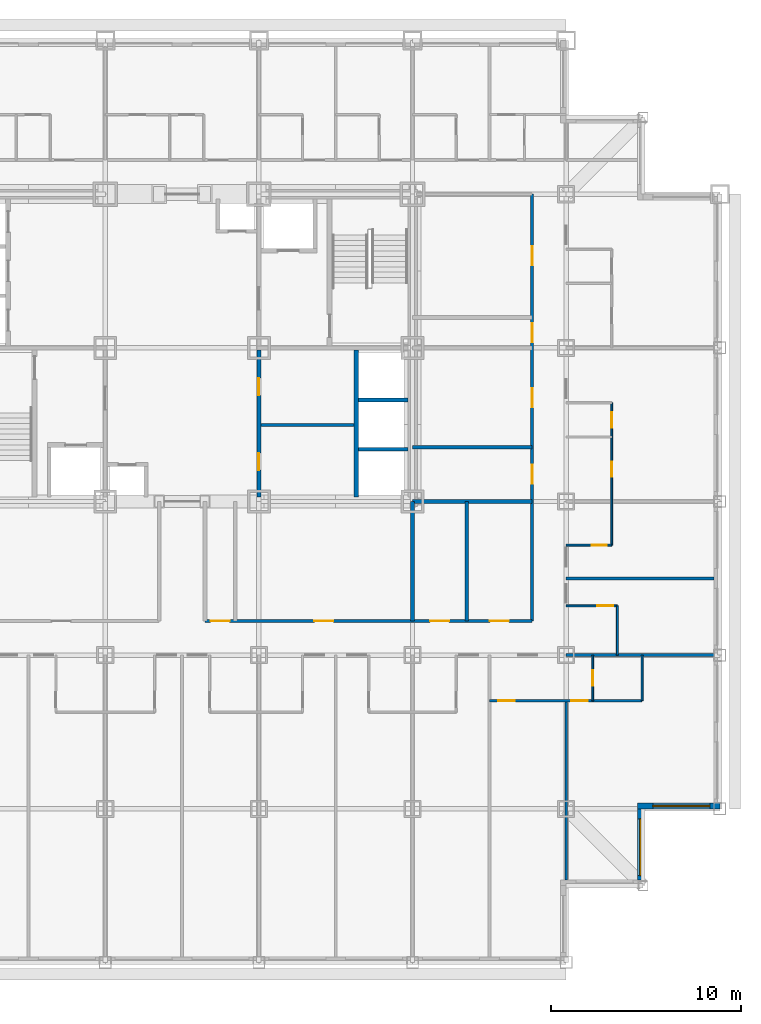
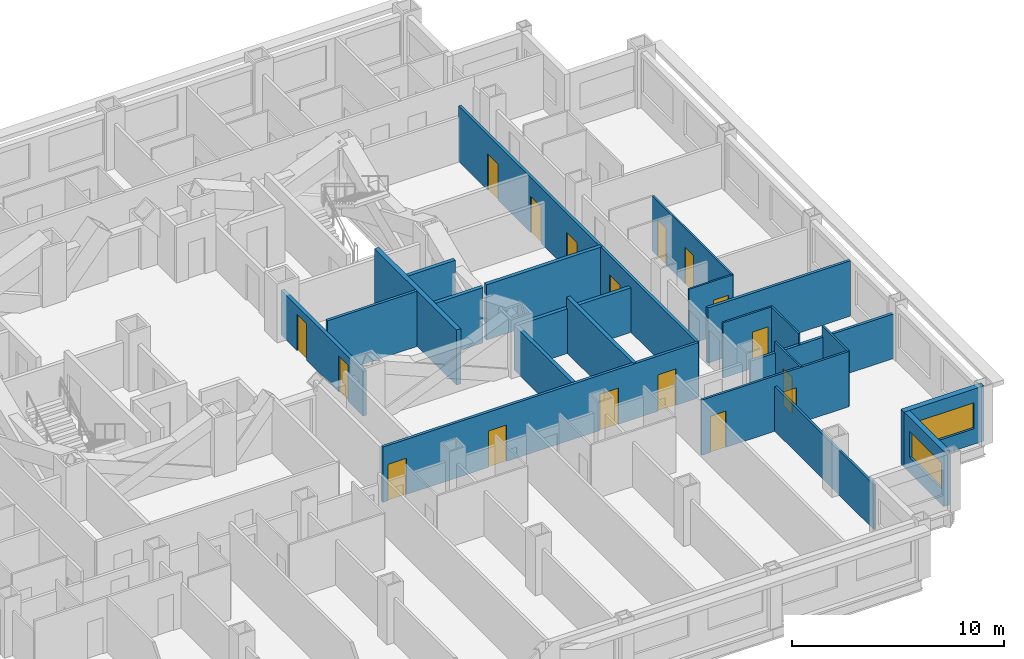
# One storey, part 6 of 11: 23 walls, 17 doors, 2 windows, 19 openings.
"""IFC4 building model written with IfcOpenShell, lengths in metres."""

from ifc_helpers import new_model, si_unit, direction, frame, frame_2d, origin, place, context, subcontext, project, spatial, rectangle, extrude, material, layer, layer_set, type_object, element, fill, save


model = new_model("IFC4")

# Units and contexts
model_context = context("Model", 3, precision=1e-05, world=origin(), true_north=direction((0.0, 1.0)))
body_context = subcontext(model_context, "Body", "Model", "MODEL_VIEW")
ifc_project = project(units=[si_unit("LENGTHUNIT", "METRE"), si_unit("AREAUNIT", "SQUARE_METRE"), si_unit("VOLUMEUNIT", "CUBIC_METRE"), si_unit("PLANEANGLEUNIT", "RADIAN"), si_unit("MASSUNIT", "GRAM", prefix="KILO")], contexts=[model_context])

# Site, building, storey
site_placement = place(None, origin())
site = spatial("IfcSite", under=ifc_project, at=site_placement, CompositionType="ELEMENT")
building_placement = place(site_placement, origin())
building = spatial("IfcBuilding", under=site, at=building_placement, Name="Kopane Lantern Tower", CompositionType="ELEMENT")
storey_placement = place(building_placement, frame((0.0, 0.0, 73.800048828125)))
storey = spatial("IfcBuildingStorey", under=building, at=storey_placement, Name="L18", CompositionType="ELEMENT", Elevation=73.800048828125)

# Wall, openings, doors
ifc_material_1 = material(Name="Gypsum board on steel studs", Category="steel")
ifc_layer_1 = layer(ifc_material_1, 0.1201171875)
ifc_layer_set_1 = layer_set([ifc_layer_1], Name="APARTMENT INTERNAL WALL 120")
wall_type_1 = type_object("IfcWallType", Name="APARTMENT INTERNAL WALL 120", PredefinedType="PARTITIONING", material=ifc_layer_set_1)
wall_1_placement = place(storey_placement, frame((44.550048828125, 13.800048828125, 0.0), z_axis=(0.0, 0.0, 1.0), x_axis=(1.0, 0.0, 0.0)))
wall_1 = element("IfcWall", 1, at=wall_1_placement, inside=storey, type_object=wall_type_1, Name="Apartment Internal Wall 120 L18", PredefinedType="PARTITIONING", context=body_context, shape_type="SweptSolid", body=[
    extrude(rectangle(XDim=8.050048828125, YDim=0.1201171875, at=frame_2d((4.02490234375, 0.0))), origin(), (0.0, 0.0, 1.0), 3.18994140625),
])
opening_1_placement = place(wall_1_placement, frame((0.47509765625, 0.0, 0.0)))
opening_1 = element("IfcOpeningElement", 2, at=opening_1_placement, cuts=wall_1, Name="Opening L18-064", PredefinedType="OPENING", context=body_context, shape_type="SweptSolid", body=[
    extrude(rectangle(XDim=0.85009765625, YDim=2.10009765625, at=frame_2d((0.425048828125, 1.050048828125))), frame((0.0, 0.070068359375, 0.0), z_axis=(0.0, -1.0, 0.0), x_axis=(1.0, 0.0, 0.0)), (0.0, 0.0, 1.0), 0.14013671875),
])
opening_2_placement = place(wall_1_placement, frame((4.324951171875, 0.0, 0.0)))
opening_2 = element("IfcOpeningElement", 3, at=opening_2_placement, cuts=wall_1, Name="Opening L18-066", PredefinedType="OPENING", context=body_context, shape_type="SweptSolid", body=[
    extrude(rectangle(XDim=0.85009765625, YDim=2.10009765625, at=frame_2d((0.425048828125, 1.050048828125))), frame((0.0, 0.070068359375, 0.0), z_axis=(0.0, -1.0, 0.0), x_axis=(1.0, 0.0, 0.0)), (0.0, 0.0, 1.0), 0.14013671875),
])
ifc_material_2 = material(Name="Timber door set", Category="wood")
door_type_1 = type_object("IfcDoorType", Name="DOOR D4 850x2100", OperationType="SINGLE_SWING_LEFT", PredefinedType="DOOR", material=ifc_material_2)
door_1_placement = place(opening_1_placement, origin())
door_1 = element("IfcDoor", 4, at=door_1_placement, inside=storey, type_object=door_type_1, Name="Door L18-064", OperationType="SINGLE_SWING_LEFT", OverallHeight=2.10009765625, OverallWidth=0.85009765625, PredefinedType="DOOR", context=body_context, shape_type="SweptSolid", body=[
    extrude(rectangle(XDim=0.85009765625, YDim=2.10009765625, at=frame_2d((0.425048828125, 1.050048828125))), frame((0.0, 0.02490234375, 0.0), z_axis=(0.0, -1.0, 0.0), x_axis=(1.0, 0.0, 0.0)), (0.0, 0.0, 1.0), 0.050048828125),
])
fill(opening_1, door_1)
door_2_placement = place(opening_2_placement, origin())
door_2 = element("IfcDoor", 5, at=door_2_placement, inside=storey, type_object=door_type_1, Name="Door L18-066", OperationType="SINGLE_SWING_RIGHT", OverallHeight=2.10009765625, OverallWidth=0.85009765625, PredefinedType="DOOR", context=body_context, shape_type="SweptSolid", body=[
    extrude(rectangle(XDim=0.85009765625, YDim=2.10009765625, at=frame_2d((0.425048828125, 1.050048828125))), frame((0.0, 0.02490234375, 0.0), z_axis=(0.0, -1.0, 0.0), x_axis=(1.0, 0.0, 0.0)), (0.0, 0.0, 1.0), 0.050048828125),
])
fill(opening_2, door_2)

# Walls
wall_2_placement = place(storey_placement, frame((48.60009765625, 13.800048828125, 0.0), z_axis=(0.0, 0.0, 1.0), x_axis=(0.0, -1.0, 0.0)))
element("IfcWall", 6, at=wall_2_placement, inside=storey, type_object=wall_type_1, Name="Apartment Internal Wall 120 L18", PredefinedType="PARTITIONING", context=body_context, shape_type="SweptSolid", body=[
    extrude(rectangle(XDim=9.449951171875, YDim=0.1201171875, at=frame_2d((4.72509765625, 0.0))), origin(), (0.0, 0.0, 1.0), 2.57763671875),
])
ifc_material_3 = material(Name="Moisture-resistant board on steel studs", Category="steel")
ifc_layer_2 = layer(ifc_material_3, 0.10009765625)
ifc_layer_set_2 = layer_set([ifc_layer_2], Name="BATHROOM WALL 100")
wall_type_2 = type_object("IfcWallType", Name="BATHROOM WALL 100", PredefinedType="PARTITIONING", material=ifc_layer_set_2)
wall_3_placement = place(storey_placement, frame((51.300048828125, 16.199951171875, 0.0), z_axis=(0.0, 0.0, 1.0), x_axis=(0.0, 1.0, 0.0)))
element("IfcWall", 7, at=wall_3_placement, inside=storey, type_object=wall_type_2, Name="Bathroom Wall 100 L18", PredefinedType="PARTITIONING", context=body_context, shape_type="SweptSolid", body=[
    extrude(rectangle(XDim=2.60009765625, YDim=0.10009765625, at=frame_2d((1.300048828125, 0.0))), origin(), (0.0, 0.0, 1.0), 3.18994140625),
])

# Wall, opening, door
wall_4_placement = place(storey_placement, frame((48.60009765625, 18.800048828125, 0.0), z_axis=(0.0, 0.0, 1.0), x_axis=(1.0, 0.0, 0.0)))
wall_4 = element("IfcWall", 8, at=wall_4_placement, inside=storey, type_object=wall_type_2, Name="Bathroom Wall 100 L18", PredefinedType="PARTITIONING", context=body_context, shape_type="SweptSolid", body=[
    extrude(rectangle(XDim=2.699951171875, YDim=0.10009765625, at=frame_2d((1.35009765625, 0.0))), origin(), (0.0, 0.0, 1.0), 3.18994140625),
])
opening_3_placement = place(wall_4_placement, frame((1.625, 0.0, 0.0)))
opening_3 = element("IfcOpeningElement", 9, at=opening_3_placement, cuts=wall_4, Name="Opening L18-049", PredefinedType="OPENING", context=body_context, shape_type="SweptSolid", body=[
    extrude(rectangle(XDim=0.85009765625, YDim=2.10009765625, at=frame_2d((0.425048828125, 1.050048828125))), frame((0.0, 0.06005859375, 0.0), z_axis=(0.0, -1.0, 0.0), x_axis=(1.0, 0.0, 0.0)), (0.0, 0.0, 1.0), 0.1201171875),
])
door_3_placement = place(opening_3_placement, origin())
door_3 = element("IfcDoor", 10, at=door_3_placement, inside=storey, type_object=door_type_1, Name="Door L18-049", OperationType="SINGLE_SWING_LEFT", OverallHeight=2.10009765625, OverallWidth=0.85009765625, PredefinedType="DOOR", context=body_context, shape_type="SweptSolid", body=[
    extrude(rectangle(XDim=0.85009765625, YDim=2.10009765625, at=frame_2d((0.425048828125, 1.050048828125))), frame((0.0, 0.02490234375, 0.0), z_axis=(0.0, -1.0, 0.0), x_axis=(1.0, 0.0, 0.0)), (0.0, 0.0, 1.0), 0.050048828125),
])
fill(opening_3, door_3)

# Wall, openings, doors
wall_5_placement = place(storey_placement, frame((51.0, 22.0, 0.0), z_axis=(0.0, 0.0, 1.0), x_axis=(0.0, 1.0, 0.0)))
wall_5 = element("IfcWall", 11, at=wall_5_placement, inside=storey, type_object=wall_type_2, Name="Bathroom Wall 100 L18", PredefinedType="PARTITIONING", context=body_context, shape_type="SweptSolid", body=[
    extrude(rectangle(XDim=7.5, YDim=0.10009765625, at=frame_2d((3.75, 0.0))), origin(), (0.0, 0.0, 1.0), 3.18994140625),
])
opening_4_placement = place(wall_5_placement, frame((3.60009765625, 0.0, 0.0)))
opening_4 = element("IfcOpeningElement", 12, at=opening_4_placement, cuts=wall_5, Name="Opening L18-053", PredefinedType="OPENING", context=body_context, shape_type="SweptSolid", body=[
    extrude(rectangle(XDim=0.800048828125, YDim=2.10009765625, at=frame_2d((0.39990234375, 1.050048828125))), frame((0.0, 0.06005859375, 0.0), z_axis=(0.0, -1.0, 0.0), x_axis=(1.0, 0.0, 0.0)), (0.0, 0.0, 1.0), 0.1201171875),
])
opening_5_placement = place(wall_5_placement, frame((6.199951171875, 0.0, 0.0)))
opening_5 = element("IfcOpeningElement", 13, at=opening_5_placement, cuts=wall_5, Name="Opening L18-054", PredefinedType="OPENING", context=body_context, shape_type="SweptSolid", body=[
    extrude(rectangle(XDim=0.800048828125, YDim=2.10009765625, at=frame_2d((0.39990234375, 1.050048828125))), frame((0.0, 0.06005859375, 0.0), z_axis=(0.0, -1.0, 0.0), x_axis=(1.0, 0.0, 0.0)), (0.0, 0.0, 1.0), 0.1201171875),
])
ifc_material_4 = material(Name="Timber door set", Category="wood")
door_type_2 = type_object("IfcDoorType", Name="DOOR D2 800x2100", OperationType="SINGLE_SWING_LEFT", PredefinedType="DOOR", material=ifc_material_4)
door_4_placement = place(opening_4_placement, origin())
door_4 = element("IfcDoor", 14, at=door_4_placement, inside=storey, type_object=door_type_2, Name="Door L18-053", OperationType="SINGLE_SWING_RIGHT", OverallHeight=2.10009765625, OverallWidth=0.800048828125, PredefinedType="DOOR", context=body_context, shape_type="SweptSolid", body=[
    extrude(rectangle(XDim=0.800048828125, YDim=2.10009765625, at=frame_2d((0.39990234375, 1.050048828125))), frame((0.0, 0.02490234375, 0.0), z_axis=(0.0, -1.0, 0.0), x_axis=(1.0, 0.0, 0.0)), (0.0, 0.0, 1.0), 0.050048828125),
])
fill(opening_4, door_4)
door_5_placement = place(opening_5_placement, origin())
door_5 = element("IfcDoor", 15, at=door_5_placement, inside=storey, type_object=door_type_2, Name="Door L18-054", OperationType="SINGLE_SWING_RIGHT", OverallHeight=2.10009765625, OverallWidth=0.800048828125, PredefinedType="DOOR", context=body_context, shape_type="SweptSolid", body=[
    extrude(rectangle(XDim=0.800048828125, YDim=2.10009765625, at=frame_2d((0.39990234375, 1.050048828125))), frame((0.0, 0.02490234375, 0.0), z_axis=(0.0, -1.0, 0.0), x_axis=(1.0, 0.0, 0.0)), (0.0, 0.0, 1.0), 0.050048828125),
])
fill(opening_5, door_5)

# Wall, opening, door
wall_6_placement = place(storey_placement, frame((48.60009765625, 22.0, 0.0), z_axis=(0.0, 0.0, 1.0), x_axis=(1.0, 0.0, 0.0)))
wall_6 = element("IfcWall", 16, at=wall_6_placement, inside=storey, type_object=wall_type_2, Name="Bathroom Wall 100 L18", PredefinedType="PARTITIONING", context=body_context, shape_type="SweptSolid", body=[
    extrude(rectangle(XDim=2.39990234375, YDim=0.10009765625, at=frame_2d((1.199951171875, 0.0))), origin(), (0.0, 0.0, 1.0), 3.18994140625),
])
opening_6_placement = place(wall_6_placement, frame((1.35009765625, 0.0, 0.0)))
opening_6 = element("IfcOpeningElement", 17, at=opening_6_placement, cuts=wall_6, Name="Opening L18-051", PredefinedType="OPENING", context=body_context, shape_type="SweptSolid", body=[
    extrude(rectangle(XDim=0.800048828125, YDim=2.10009765625, at=frame_2d((0.39990234375, 1.050048828125))), frame((0.0, 0.06005859375, 0.0), z_axis=(0.0, -1.0, 0.0), x_axis=(1.0, 0.0, 0.0)), (0.0, 0.0, 1.0), 0.1201171875),
])
door_6_placement = place(opening_6_placement, origin())
door_6 = element("IfcDoor", 18, at=door_6_placement, inside=storey, type_object=door_type_2, Name="Door L18-051", OperationType="SINGLE_SWING_RIGHT", OverallHeight=2.10009765625, OverallWidth=0.800048828125, PredefinedType="DOOR", context=body_context, shape_type="SweptSolid", body=[
    extrude(rectangle(XDim=0.800048828125, YDim=2.10009765625, at=frame_2d((0.39990234375, 1.050048828125))), frame((0.0, 0.02490234375, 0.0), z_axis=(0.0, -1.0, 0.0), x_axis=(1.0, 0.0, 0.0)), (0.0, 0.0, 1.0), 0.050048828125),
])
fill(opening_6, door_6)

wall_7_placement = place(storey_placement, frame((50.0, 16.199951171875, 0.0), z_axis=(0.0, 0.0, 1.0), x_axis=(0.0, -1.0, 0.0)))
wall_7 = element("IfcWall", 19, at=wall_7_placement, inside=storey, type_object=wall_type_2, Name="Bathroom Wall 100 L18", PredefinedType="PARTITIONING", context=body_context, shape_type="SweptSolid", body=[
    extrude(rectangle(XDim=2.39990234375, YDim=0.10009765625, at=frame_2d((1.199951171875, 0.0))), origin(), (0.0, 0.0, 1.0), 3.18994140625),
])
opening_7_placement = place(wall_7_placement, frame((0.800048828125, 0.0, 0.0)))
opening_7 = element("IfcOpeningElement", 20, at=opening_7_placement, cuts=wall_7, Name="Opening L18-065", PredefinedType="OPENING", context=body_context, shape_type="SweptSolid", body=[
    extrude(rectangle(XDim=0.800048828125, YDim=2.10009765625, at=frame_2d((0.39990234375, 1.050048828125))), frame((0.0, 0.06005859375, 0.0), z_axis=(0.0, -1.0, 0.0), x_axis=(1.0, 0.0, 0.0)), (0.0, 0.0, 1.0), 0.1201171875),
])
door_7_placement = place(opening_7_placement, origin())
door_7 = element("IfcDoor", 21, at=door_7_placement, inside=storey, type_object=door_type_2, Name="Door L18-065", OperationType="SINGLE_SWING_LEFT", OverallHeight=2.10009765625, OverallWidth=0.800048828125, PredefinedType="DOOR", context=body_context, shape_type="SweptSolid", body=[
    extrude(rectangle(XDim=0.800048828125, YDim=2.10009765625, at=frame_2d((0.39990234375, 1.050048828125))), frame((0.0, 0.02490234375, 0.0), z_axis=(0.0, -1.0, 0.0), x_axis=(1.0, 0.0, 0.0)), (0.0, 0.0, 1.0), 0.050048828125),
])
fill(opening_7, door_7)

# Walls
wall_8_placement = place(storey_placement, frame((52.60009765625, 16.199951171875, 0.0), z_axis=(0.0, 0.0, 1.0), x_axis=(0.0, -1.0, 0.0)))
element("IfcWall", 22, at=wall_8_placement, inside=storey, type_object=wall_type_2, Name="Bathroom Wall 100 L18", PredefinedType="PARTITIONING", context=body_context, shape_type="SweptSolid", body=[
    extrude(rectangle(XDim=2.39990234375, YDim=0.10009765625, at=frame_2d((1.199951171875, 0.0))), origin(), (0.0, 0.0, 1.0), 3.18994140625),
])
ifc_material_5 = material(Name="Gypsum partition EI 60", Category="gypsum")
ifc_layer_3 = layer(ifc_material_5, 0.14990234375)
ifc_layer_set_3 = layer_set([ifc_layer_3], Name="CORE ROOM PARTITION 150 EI 60")
wall_type_3 = type_object("IfcWallType", Name="CORE ROOM PARTITION 150 EI 60", PredefinedType="PARTITIONING", material=ifc_layer_set_3)
wall_9_placement = place(storey_placement, frame((32.5, 28.324951171875, 0.0), z_axis=(0.0, 0.0, 1.0), x_axis=(1.0, 0.0, 0.0)))
element("IfcWall", 23, at=wall_9_placement, inside=storey, type_object=wall_type_3, Name="Core room partition L18 E1", PredefinedType="PARTITIONING", context=body_context, shape_type="SweptSolid", body=[
    extrude(rectangle(XDim=4.89990234375, YDim=0.14990234375, at=frame_2d((2.449951171875, 0.0))), origin(), (0.0, 0.0, 1.0), 3.18994140625),
])

# Wall, openings, doors
ifc_material_6 = material(Name="Gypsum partition EI 60", Category="gypsum")
ifc_layer_4 = layer(ifc_material_6, 0.199951171875)
ifc_layer_set_4 = layer_set([ifc_layer_4], Name="CORE ROOM WALL 200 EI 60")
wall_type_4 = type_object("IfcWallType", Name="CORE ROOM WALL 200 EI 60", PredefinedType="PARTITIONING", material=ifc_layer_set_4)
wall_10_placement = place(storey_placement, frame((32.39990234375, 24.550048828125, 0.0), z_axis=(0.0, 0.0, 1.0), x_axis=(0.0, 1.0, 0.0)))
wall_10 = element("IfcWall", 24, at=wall_10_placement, inside=storey, type_object=wall_type_4, Name="Core room wall L18 XE", PredefinedType="PARTITIONING", context=body_context, shape_type="SweptSolid", body=[
    extrude(rectangle(XDim=7.75, YDim=0.199951171875, at=frame_2d((3.875, 0.0))), origin(), (0.0, 0.0, 1.0), 2.57763671875),
])
opening_8_placement = place(wall_10_placement, frame((1.39990234375, 0.0, 0.0)))
opening_8 = element("IfcOpeningElement", 25, at=opening_8_placement, cuts=wall_10, Name="Opening 18.C20", PredefinedType="OPENING", context=body_context, shape_type="SweptSolid", body=[
    extrude(rectangle(XDim=0.89990234375, YDim=2.10009765625, at=frame_2d((0.449951171875, 1.050048828125))), frame((0.0, 0.10986328125, 0.0), z_axis=(0.0, -1.0, 0.0), x_axis=(1.0, 0.0, 0.0)), (0.0, 0.0, 1.0), 0.219970703125),
])
opening_9_placement = place(wall_10_placement, frame((5.35009765625, 0.0, 0.0)))
opening_9 = element("IfcOpeningElement", 26, at=opening_9_placement, cuts=wall_10, Name="Opening 18.C21", PredefinedType="OPENING", context=body_context, shape_type="SweptSolid", body=[
    extrude(rectangle(XDim=0.89990234375, YDim=2.10009765625, at=frame_2d((0.449951171875, 1.050048828125))), frame((0.0, 0.10986328125, 0.0), z_axis=(0.0, -1.0, 0.0), x_axis=(1.0, 0.0, 0.0)), (0.0, 0.0, 1.0), 0.219970703125),
])
ifc_material_7 = material(Name="Steel door set", Category="steel")
door_type_3 = type_object("IfcDoorType", Name="CORE ROOM DOOR 900x2100 FD60", OperationType="SINGLE_SWING_LEFT", PredefinedType="DOOR", material=ifc_material_7)
door_8_placement = place(opening_8_placement, origin())
door_8 = element("IfcDoor", 27, at=door_8_placement, inside=storey, type_object=door_type_3, Name="Door Linen store L18", OperationType="SINGLE_SWING_LEFT", OverallHeight=2.10009765625, OverallWidth=0.89990234375, PredefinedType="DOOR", context=body_context, shape_type="SweptSolid", body=[
    extrude(rectangle(XDim=0.89990234375, YDim=2.10009765625, at=frame_2d((0.449951171875, 1.050048828125))), frame((0.0, 0.02490234375, 0.0), z_axis=(0.0, -1.0, 0.0), x_axis=(1.0, 0.0, 0.0)), (0.0, 0.0, 1.0), 0.050048828125),
])
fill(opening_8, door_8)
door_9_placement = place(opening_9_placement, origin())
door_9 = element("IfcDoor", 28, at=door_9_placement, inside=storey, type_object=door_type_3, Name="Door Housekeeping store L18", OperationType="SINGLE_SWING_LEFT", OverallHeight=2.10009765625, OverallWidth=0.89990234375, PredefinedType="DOOR", context=body_context, shape_type="SweptSolid", body=[
    extrude(rectangle(XDim=0.89990234375, YDim=2.10009765625, at=frame_2d((0.449951171875, 1.050048828125))), frame((0.0, 0.02490234375, 0.0), z_axis=(0.0, -1.0, 0.0), x_axis=(1.0, 0.0, 0.0)), (0.0, 0.0, 1.0), 0.050048828125),
])
fill(opening_9, door_9)

# Wall
ifc_material_8 = material(Name="Gypsum shaft wall EI 120", Category="gypsum")
ifc_layer_5 = layer(ifc_material_8, 0.25)
ifc_layer_set_5 = layer_set([ifc_layer_5], Name="CORE SHAFT WALL 250 EI 120")
wall_type_5 = type_object("IfcWallType", Name="CORE SHAFT WALL 250 EI 120", PredefinedType="SOLIDWALL", material=ifc_layer_set_5)
wall_11_placement = place(storey_placement, frame((37.52490234375, 24.550048828125, 0.0), z_axis=(0.0, 0.0, 1.0), x_axis=(0.0, 1.0, 0.0)))
element("IfcWall", 29, at=wall_11_placement, inside=storey, type_object=wall_type_5, Name="Core shaft wall L18 XLR", PredefinedType="SOLIDWALL", context=body_context, shape_type="SweptSolid", body=[
    extrude(rectangle(XDim=7.75, YDim=0.25, at=frame_2d((3.875, 0.0))), origin(), (0.0, 0.0, 1.0), 3.18994140625),
])

# Wall, openings, doors
ifc_material_9 = material(Name="Gypsum board on steel studs", Category="steel")
ifc_layer_6 = layer(ifc_material_9, 0.14990234375)
ifc_layer_set_6 = layer_set([ifc_layer_6], Name="CORRIDOR WALL 150 EI 60")
wall_type_6 = type_object("IfcWallType", Name="CORRIDOR WALL 150 EI 60", PredefinedType="PARTITIONING", material=ifc_layer_set_6)
wall_12_placement = place(storey_placement, frame((46.800048828125, 18.0, 0.0), z_axis=(0.0, 0.0, 1.0), x_axis=(0.0, 1.0, 0.0)))
wall_12 = element("IfcWall", 30, at=wall_12_placement, inside=storey, type_object=wall_type_6, Name="Corridor Wall 150 Ei 60 L18", PredefinedType="PARTITIONING", context=body_context, shape_type="SweptSolid", body=[
    extrude(rectangle(XDim=22.5, YDim=0.14990234375, at=frame_2d((11.25, 0.0))), origin(), (0.0, 0.0, 1.0), 3.18994140625),
])
opening_10_placement = place(wall_12_placement, frame((7.228515625, 0.0, 0.0)))
opening_10 = element("IfcOpeningElement", 31, at=opening_10_placement, cuts=wall_12, Name="Opening L18-003", PredefinedType="OPENING", context=body_context, shape_type="SweptSolid", body=[
    extrude(rectangle(XDim=1.0, YDim=2.10009765625, at=frame_2d((0.5, 1.050048828125))), frame((0.0, 0.0849609375, 0.0), z_axis=(0.0, -1.0, 0.0), x_axis=(1.0, 0.0, 0.0)), (0.0, 0.0, 1.0), 0.169921875),
])
opening_11_placement = place(wall_12_placement, frame((11.278564453125, 0.0, 0.0)))
opening_11 = element("IfcOpeningElement", 32, at=opening_11_placement, cuts=wall_12, Name="Opening L18-004", PredefinedType="OPENING", context=body_context, shape_type="SweptSolid", body=[
    extrude(rectangle(XDim=1.0, YDim=2.10009765625, at=frame_2d((0.5, 1.050048828125))), frame((0.0, 0.0849609375, 0.0), z_axis=(0.0, -1.0, 0.0), x_axis=(1.0, 0.0, 0.0)), (0.0, 0.0, 1.0), 0.169921875),
])
opening_12_placement = place(wall_12_placement, frame((14.699951171875, 0.0, 0.0)))
opening_12 = element("IfcOpeningElement", 33, at=opening_12_placement, cuts=wall_12, Name="Opening L18-005", PredefinedType="OPENING", context=body_context, shape_type="SweptSolid", body=[
    extrude(rectangle(XDim=1.0, YDim=2.10009765625, at=frame_2d((0.5, 1.050048828125))), frame((0.0, 0.0849609375, 0.0), z_axis=(0.0, -1.0, 0.0), x_axis=(1.0, 0.0, 0.0)), (0.0, 0.0, 1.0), 0.169921875),
])
opening_13_placement = place(wall_12_placement, frame((18.75, 0.0, 0.0)))
opening_13 = element("IfcOpeningElement", 34, at=opening_13_placement, cuts=wall_12, Name="Opening L18-006", PredefinedType="OPENING", context=body_context, shape_type="SweptSolid", body=[
    extrude(rectangle(XDim=1.0, YDim=2.10009765625, at=frame_2d((0.5, 1.050048828125))), frame((0.0, 0.0849609375, 0.0), z_axis=(0.0, -1.0, 0.0), x_axis=(1.0, 0.0, 0.0)), (0.0, 0.0, 1.0), 0.169921875),
])
ifc_material_10 = material(Name="Steel door set", Category="steel")
door_type_4 = type_object("IfcDoorType", Name="DOOR D5 1000x2100 FD60", OperationType="SINGLE_SWING_LEFT", PredefinedType="DOOR", material=ifc_material_10)
door_10_placement = place(opening_10_placement, origin())
door_10 = element("IfcDoor", 35, at=door_10_placement, inside=storey, type_object=door_type_4, Name="Door L18-003", OperationType="SINGLE_SWING_LEFT", OverallHeight=2.10009765625, OverallWidth=1.0, PredefinedType="DOOR", context=body_context, shape_type="SweptSolid", body=[
    extrude(rectangle(XDim=1.0, YDim=2.10009765625, at=frame_2d((0.5, 1.050048828125))), frame((0.0, 0.02490234375, 0.0), z_axis=(0.0, -1.0, 0.0), x_axis=(1.0, 0.0, 0.0)), (0.0, 0.0, 1.0), 0.050048828125),
])
fill(opening_10, door_10)
door_11_placement = place(opening_11_placement, origin())
door_11 = element("IfcDoor", 36, at=door_11_placement, inside=storey, type_object=door_type_4, Name="Door L18-004", OperationType="SINGLE_SWING_RIGHT", OverallHeight=2.10009765625, OverallWidth=1.0, PredefinedType="DOOR", context=body_context, shape_type="SweptSolid", body=[
    extrude(rectangle(XDim=1.0, YDim=2.10009765625, at=frame_2d((0.5, 1.050048828125))), frame((0.0, 0.02490234375, 0.0), z_axis=(0.0, -1.0, 0.0), x_axis=(1.0, 0.0, 0.0)), (0.0, 0.0, 1.0), 0.050048828125),
])
fill(opening_11, door_11)
door_12_placement = place(opening_12_placement, origin())
door_12 = element("IfcDoor", 37, at=door_12_placement, inside=storey, type_object=door_type_4, Name="Door L18-005", OperationType="SINGLE_SWING_LEFT", OverallHeight=2.10009765625, OverallWidth=1.0, PredefinedType="DOOR", context=body_context, shape_type="SweptSolid", body=[
    extrude(rectangle(XDim=1.0, YDim=2.10009765625, at=frame_2d((0.5, 1.050048828125))), frame((0.0, 0.02490234375, 0.0), z_axis=(0.0, -1.0, 0.0), x_axis=(1.0, 0.0, 0.0)), (0.0, 0.0, 1.0), 0.050048828125),
])
fill(opening_12, door_12)
door_13_placement = place(opening_13_placement, origin())
door_13 = element("IfcDoor", 38, at=door_13_placement, inside=storey, type_object=door_type_4, Name="Door L18-006", OperationType="SINGLE_SWING_RIGHT", OverallHeight=2.10009765625, OverallWidth=1.0, PredefinedType="DOOR", context=body_context, shape_type="SweptSolid", body=[
    extrude(rectangle(XDim=1.0, YDim=2.10009765625, at=frame_2d((0.5, 1.050048828125))), frame((0.0, 0.02490234375, 0.0), z_axis=(0.0, -1.0, 0.0), x_axis=(1.0, 0.0, 0.0)), (0.0, 0.0, 1.0), 0.050048828125),
])
fill(opening_13, door_13)

wall_13_placement = place(storey_placement, frame((29.56005859375, 18.0, 0.0), z_axis=(0.0, 0.0, 1.0), x_axis=(1.0, 0.0, 0.0)))
wall_13 = element("IfcWall", 39, at=wall_13_placement, inside=storey, type_object=wall_type_6, Name="Corridor Wall 150 Ei 60 L18", PredefinedType="PARTITIONING", context=body_context, shape_type="SweptSolid", body=[
    extrude(rectangle(XDim=17.239990234375, YDim=0.14990234375, at=frame_2d((8.6201171875, 0.0))), origin(), (0.0, 0.0, 1.0), 3.18994140625),
])
opening_14_placement = place(wall_13_placement, frame((0.2900390625, 0.0, 0.0)))
opening_14 = element("IfcOpeningElement", 40, at=opening_14_placement, cuts=wall_13, Name="Opening L18-009", PredefinedType="OPENING", context=body_context, shape_type="SweptSolid", body=[
    extrude(rectangle(XDim=1.0, YDim=2.10009765625, at=frame_2d((0.5, 1.050048828125))), frame((0.0, 0.0849609375, 0.0), z_axis=(0.0, -1.0, 0.0), x_axis=(1.0, 0.0, 0.0)), (0.0, 0.0, 1.0), 0.169921875),
])
opening_15_placement = place(wall_13_placement, frame((5.764892578125, 0.0, 0.0)))
opening_15 = element("IfcOpeningElement", 41, at=opening_15_placement, cuts=wall_13, Name="Opening L18-010", PredefinedType="OPENING", context=body_context, shape_type="SweptSolid", body=[
    extrude(rectangle(XDim=1.0, YDim=2.10009765625, at=frame_2d((0.5, 1.050048828125))), frame((0.0, 0.0849609375, 0.0), z_axis=(0.0, -1.0, 0.0), x_axis=(1.0, 0.0, 0.0)), (0.0, 0.0, 1.0), 0.169921875),
])
opening_16_placement = place(wall_13_placement, frame((11.86865234375, 0.0, 0.0)))
opening_16 = element("IfcOpeningElement", 42, at=opening_16_placement, cuts=wall_13, Name="Opening L18-011", PredefinedType="OPENING", context=body_context, shape_type="SweptSolid", body=[
    extrude(rectangle(XDim=1.0, YDim=2.10009765625, at=frame_2d((0.5, 1.050048828125))), frame((0.0, 0.0849609375, 0.0), z_axis=(0.0, -1.0, 0.0), x_axis=(1.0, 0.0, 0.0)), (0.0, 0.0, 1.0), 0.169921875),
])
opening_17_placement = place(wall_13_placement, frame((15.0185546875, 0.0, 0.0)))
opening_17 = element("IfcOpeningElement", 43, at=opening_17_placement, cuts=wall_13, Name="Opening L18-012", PredefinedType="OPENING", context=body_context, shape_type="SweptSolid", body=[
    extrude(rectangle(XDim=1.0, YDim=2.10009765625, at=frame_2d((0.5, 1.050048828125))), frame((0.0, 0.0849609375, 0.0), z_axis=(0.0, -1.0, 0.0), x_axis=(1.0, 0.0, 0.0)), (0.0, 0.0, 1.0), 0.169921875),
])
door_14_placement = place(opening_14_placement, origin())
door_14 = element("IfcDoor", 44, at=door_14_placement, inside=storey, type_object=door_type_4, Name="Door L18-009", OperationType="SINGLE_SWING_LEFT", OverallHeight=2.10009765625, OverallWidth=1.0, PredefinedType="DOOR", context=body_context, shape_type="SweptSolid", body=[
    extrude(rectangle(XDim=1.0, YDim=2.10009765625, at=frame_2d((0.5, 1.050048828125))), frame((0.0, 0.02490234375, 0.0), z_axis=(0.0, -1.0, 0.0), x_axis=(1.0, 0.0, 0.0)), (0.0, 0.0, 1.0), 0.050048828125),
])
fill(opening_14, door_14)
door_15_placement = place(opening_15_placement, origin())
door_15 = element("IfcDoor", 45, at=door_15_placement, inside=storey, type_object=door_type_4, Name="Door L18-010", OperationType="SINGLE_SWING_RIGHT", OverallHeight=2.10009765625, OverallWidth=1.0, PredefinedType="DOOR", context=body_context, shape_type="SweptSolid", body=[
    extrude(rectangle(XDim=1.0, YDim=2.10009765625, at=frame_2d((0.5, 1.050048828125))), frame((0.0, 0.02490234375, 0.0), z_axis=(0.0, -1.0, 0.0), x_axis=(1.0, 0.0, 0.0)), (0.0, 0.0, 1.0), 0.050048828125),
])
fill(opening_15, door_15)
door_16_placement = place(opening_16_placement, origin())
door_16 = element("IfcDoor", 46, at=door_16_placement, inside=storey, type_object=door_type_4, Name="Door L18-011", OperationType="SINGLE_SWING_LEFT", OverallHeight=2.10009765625, OverallWidth=1.0, PredefinedType="DOOR", context=body_context, shape_type="SweptSolid", body=[
    extrude(rectangle(XDim=1.0, YDim=2.10009765625, at=frame_2d((0.5, 1.050048828125))), frame((0.0, 0.02490234375, 0.0), z_axis=(0.0, -1.0, 0.0), x_axis=(1.0, 0.0, 0.0)), (0.0, 0.0, 1.0), 0.050048828125),
])
fill(opening_16, door_16)
door_17_placement = place(opening_17_placement, origin())
door_17 = element("IfcDoor", 47, at=door_17_placement, inside=storey, type_object=door_type_4, Name="Door L18-012", OperationType="SINGLE_SWING_RIGHT", OverallHeight=2.10009765625, OverallWidth=1.0, PredefinedType="DOOR", context=body_context, shape_type="SweptSolid", body=[
    extrude(rectangle(XDim=1.0, YDim=2.10009765625, at=frame_2d((0.5, 1.050048828125))), frame((0.0, 0.02490234375, 0.0), z_axis=(0.0, -1.0, 0.0), x_axis=(1.0, 0.0, 0.0)), (0.0, 0.0, 1.0), 0.050048828125),
])
fill(opening_17, door_17)

# Walls
ifc_material_11 = material(Name="Gypsum board on steel studs", Category="steel")
ifc_layer_7 = layer(ifc_material_11, 0.14990234375)
ifc_layer_set_7 = layer_set([ifc_layer_7], Name="DEMISING WALL 150 EI 60")
wall_type_7 = type_object("IfcWallType", Name="DEMISING WALL 150 EI 60", PredefinedType="PARTITIONING", material=ifc_layer_set_7)
wall_14_placement = place(storey_placement, frame((48.60009765625, 20.25, 0.0), z_axis=(0.0, 0.0, 1.0), x_axis=(1.0, 0.0, 0.0)))
element("IfcWall", 48, at=wall_14_placement, inside=storey, type_object=wall_type_7, Name="Demising Wall 150 Ei 60 L18", PredefinedType="PARTITIONING", context=body_context, shape_type="SweptSolid", body=[
    extrude(rectangle(XDim=7.7998046875, YDim=0.14990234375, at=frame_2d((3.89990234375, 0.0))), origin(), (0.0, 0.0, 1.0), 3.18994140625),
])
wall_15_placement = place(storey_placement, frame((48.60009765625, 16.199951171875, 0.0), z_axis=(0.0, 0.0, 1.0), x_axis=(1.0, 0.0, 0.0)))
element("IfcWall", 49, at=wall_15_placement, inside=storey, type_object=wall_type_7, Name="Demising Wall 150 Ei 60 L18", PredefinedType="PARTITIONING", context=body_context, shape_type="SweptSolid", body=[
    extrude(rectangle(XDim=7.7998046875, YDim=0.14990234375, at=frame_2d((3.89990234375, 0.0))), origin(), (0.0, 0.0, 1.0), 2.57763671875),
])

# Wall, opening, window
ifc_material_12 = material(Name="Terracotta rainscreen on light steel framing", Category="masonry")
ifc_layer_8 = layer(ifc_material_12, 0.300048828125)
ifc_layer_set_8 = layer_set([ifc_layer_8], Name="EXTERNAL WALL EW1 300 TERRACOTTA")
wall_type_8 = type_object("IfcWallType", Name="EXTERNAL WALL EW1 300 TERRACOTTA", PredefinedType="SOLIDWALL", material=ifc_layer_set_8)
wall_16_placement = place(storey_placement, frame((52.5, 4.35009765625, 0.0), z_axis=(0.0, 0.0, 1.0), x_axis=(0.0, 1.0, 0.0)))
wall_16 = element("IfcWall", 50, at=wall_16_placement, inside=storey, type_object=wall_type_8, Name="External wall E L18", PredefinedType="SOLIDWALL", context=body_context, shape_type="SweptSolid", body=[
    extrude(rectangle(XDim=3.75, YDim=0.300048828125, at=frame_2d((1.875, 0.0))), origin(), (0.0, 0.0, 1.0), 3.18994140625),
])
opening_18_placement = place(wall_16_placement, frame((0.22509765625, 0.0, 0.89990234375)))
opening_18 = element("IfcOpeningElement", 51, at=opening_18_placement, cuts=wall_16, Name="Opening WR300150", PredefinedType="OPENING", context=body_context, shape_type="SweptSolid", body=[
    extrude(rectangle(XDim=3.0, YDim=1.5, at=frame_2d((1.5, 0.75))), frame((0.0, 0.159912109375, 0.0), z_axis=(0.0, -1.0, 0.0), x_axis=(1.0, 0.0, 0.0)), (0.0, 0.0, 1.0), 0.320068359375),
])
ifc_material_13 = material(Name="Aluminium and clear glass", Category="aluminium")
window_type = type_object("IfcWindowType", Name="RIBBON WINDOW WR300150 3000x1500", PartitioningType="SINGLE_PANEL", PredefinedType="WINDOW", material=ifc_material_13)
window_1_placement = place(opening_18_placement, origin())
window_1 = element("IfcWindow", 52, at=window_1_placement, inside=storey, type_object=window_type, Name="Window E L18", OverallHeight=1.5, OverallWidth=3.0, PartitioningType="SINGLE_PANEL", PredefinedType="WINDOW", context=body_context, shape_type="SweptSolid", body=[
    extrude(rectangle(XDim=3.0, YDim=1.5, at=frame_2d((1.5, 0.75))), frame((0.0, 0.030029296875, 0.0), z_axis=(0.0, -1.0, 0.0), x_axis=(1.0, 0.0, 0.0)), (0.0, 0.0, 1.0), 0.06005859375),
])
fill(opening_18, window_1)

wall_17_placement = place(storey_placement, frame((52.35009765625, 8.25, 0.0), z_axis=(0.0, 0.0, 1.0), x_axis=(1.0, 0.0, 0.0)))
wall_17 = element("IfcWall", 53, at=wall_17_placement, inside=storey, type_object=wall_type_8, Name="External wall S L18", PredefinedType="SOLIDWALL", context=body_context, shape_type="SweptSolid", body=[
    extrude(rectangle(XDim=4.349853515625, YDim=0.300048828125, at=frame_2d((2.1748046875, 0.0))), origin(), (0.0, 0.0, 1.0), 3.18994140625),
])
opening_19_placement = place(wall_17_placement, frame((0.824951171875, 0.0, 0.89990234375)))
opening_19 = element("IfcOpeningElement", 54, at=opening_19_placement, cuts=wall_17, Name="Opening WR300150", PredefinedType="OPENING", context=body_context, shape_type="SweptSolid", body=[
    extrude(rectangle(XDim=3.0, YDim=1.5, at=frame_2d((1.5, 0.75))), frame((0.0, 0.159912109375, 0.0), z_axis=(0.0, -1.0, 0.0), x_axis=(1.0, 0.0, 0.0)), (0.0, 0.0, 1.0), 0.320068359375),
])
window_2_placement = place(opening_19_placement, origin())
window_2 = element("IfcWindow", 55, at=window_2_placement, inside=storey, type_object=window_type, Name="Window S L18", OverallHeight=1.5, OverallWidth=3.0, PartitioningType="SINGLE_PANEL", PredefinedType="WINDOW", context=body_context, shape_type="SweptSolid", body=[
    extrude(rectangle(XDim=3.0, YDim=1.5, at=frame_2d((1.5, 0.75))), frame((0.0, 0.030029296875, 0.0), z_axis=(0.0, -1.0, 0.0), x_axis=(1.0, 0.0, 0.0)), (0.0, 0.0, 1.0), 0.06005859375),
])
fill(opening_19, window_2)

# Walls
ifc_material_14 = material(Name="Concrete masonry", Category="masonry")
ifc_layer_9 = layer(ifc_material_14, 0.199951171875)
ifc_layer_set_9 = layer_set([ifc_layer_9], Name="PLANT ROOM WALL 200 EI 120")
wall_type_9 = type_object("IfcWallType", Name="PLANT ROOM WALL 200 EI 120", PredefinedType="SOLIDWALL", material=ifc_layer_set_9)
wall_18_placement = place(storey_placement, frame((46.800048828125, 27.156982421875, 0.0), z_axis=(0.0, 0.0, 1.0), x_axis=(-1.0, 0.0, 0.0)))
element("IfcWall", 56, at=wall_18_placement, inside=storey, type_object=wall_type_9, Name="Plant Room Wall 200 Ei 120 L18", PredefinedType="SOLIDWALL", context=body_context, shape_type="SweptSolid", body=[
    extrude(rectangle(XDim=6.300048828125, YDim=0.199951171875, at=frame_2d((3.14990234375, 0.0))), origin(), (0.0, 0.0, 1.0), 3.18994140625),
])
wall_19_placement = place(storey_placement, frame((40.5, 18.0, 0.0), z_axis=(0.0, 0.0, 1.0), x_axis=(0.0, 1.0, 0.0)))
element("IfcWall", 57, at=wall_19_placement, inside=storey, type_object=wall_type_9, Name="Plant Room Wall 200 Ei 120 L18", PredefinedType="SOLIDWALL", context=body_context, shape_type="SweptSolid", body=[
    extrude(rectangle(XDim=6.300048828125, YDim=0.199951171875, at=frame_2d((3.14990234375, 0.0))), origin(), (0.0, 0.0, 1.0), 2.57763671875),
])
wall_20_placement = place(storey_placement, frame((43.357177734375, 18.0, 0.0), z_axis=(0.0, 0.0, 1.0), x_axis=(0.0, 1.0, 0.0)))
element("IfcWall", 58, at=wall_20_placement, inside=storey, type_object=wall_type_9, Name="Plant Room Wall 200 Ei 120 L18", PredefinedType="SOLIDWALL", context=body_context, shape_type="SweptSolid", body=[
    extrude(rectangle(XDim=6.300048828125, YDim=0.199951171875, at=frame_2d((3.14990234375, 0.0))), origin(), (0.0, 0.0, 1.0), 3.18994140625),
])
wall_21_placement = place(storey_placement, frame((40.5, 24.300048828125, 0.0), z_axis=(0.0, 0.0, 1.0), x_axis=(1.0, 0.0, 0.0)))
element("IfcWall", 59, at=wall_21_placement, inside=storey, type_object=wall_type_9, Name="Plant Room Wall 200 Ei 120 L18", PredefinedType="SOLIDWALL", context=body_context, shape_type="SweptSolid", body=[
    extrude(rectangle(XDim=6.300048828125, YDim=0.199951171875, at=frame_2d((3.14990234375, 0.0))), origin(), (0.0, 0.0, 1.0), 2.57763671875),
])
ifc_material_15 = material(Name="Gypsum shaft wall EI 120", Category="gypsum")
ifc_layer_10 = layer(ifc_material_15, 0.199951171875)
ifc_layer_set_10 = layer_set([ifc_layer_10], Name="SHAFT WALL 200 EI 120")
wall_type_10 = type_object("IfcWallType", Name="SHAFT WALL 200 EI 120", PredefinedType="SOLIDWALL", material=ifc_layer_set_10)
for number, where, z_axis, x_axis, name in (
    (60, (37.64990234375, 27.050048828125, 0.0), (0.0, 0.0, 1.0), (1.0, 0.0, 0.0), "Core shaft wall L18 YLR12"),
    (61, (37.64990234375, 29.64990234375, 0.0), (0.0, 0.0, 1.0), (1.0, 0.0, 0.0), "Core shaft wall L18 YLR23"),
):
    element("IfcWall", number, at=place(storey_placement, frame(where, z_axis=z_axis, x_axis=x_axis)), inside=storey, type_object=wall_type_10, Name=name, PredefinedType="SOLIDWALL", context=body_context, shape_type="SweptSolid", body=[
        extrude(rectangle(XDim=2.60009765625, YDim=0.199951171875, at=frame_2d((1.300048828125, 0.0))), origin(), (0.0, 0.0, 1.0), 3.18994140625),
    ])

save(model, "model.ifc")
